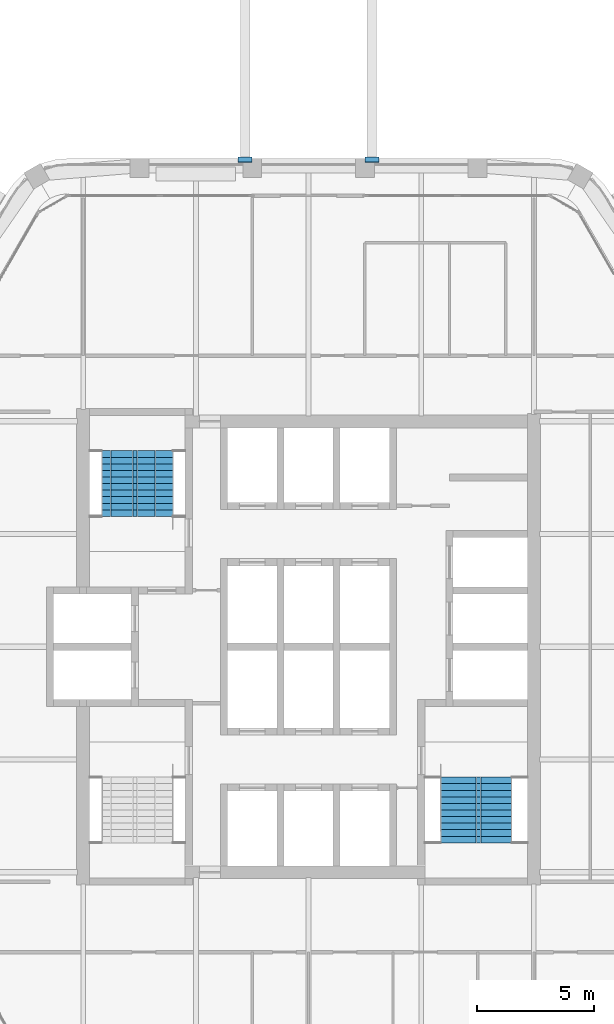
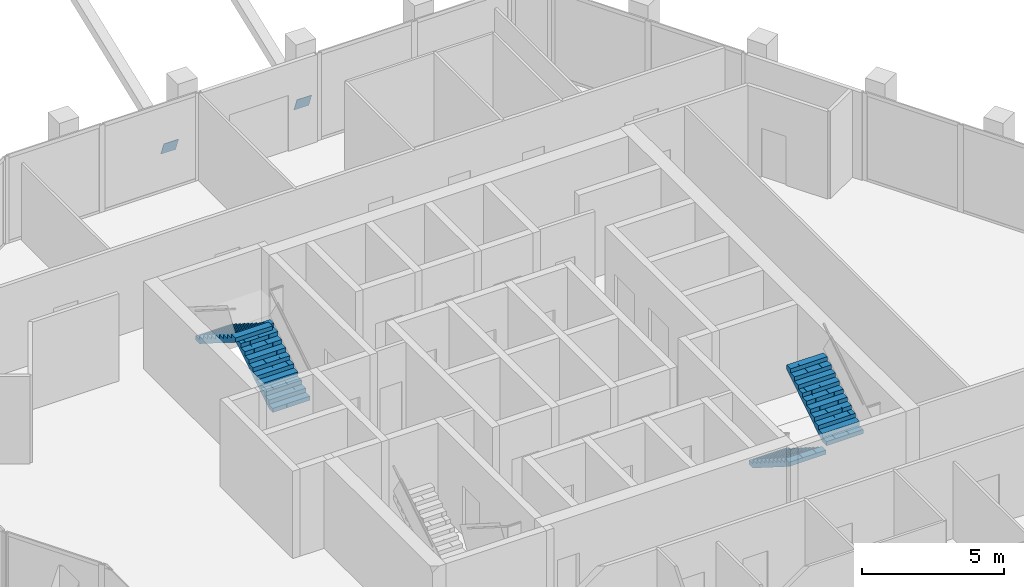
# One storey, part 11 of 14: 4 stair flights, 2 discrete accessories, 2 elements without a shape of their own.
"""IFC4 building model written with IfcOpenShell, lengths in metres."""

import ifcopenshell
import ifcopenshell.guid

model = None  # the IFC model being written
_history = None  # IfcOwnerHistory: only IFC2X3 demands one
_inside = {}  # id of a spatial element -> (the spatial element, [elements in it])
_under = {}  # id of a project, library or spatial element -> (it, [spatial elements below it])
_declared = {}  # id of a project -> (the project, [libraries it declares])
_typed = {}  # id of a type object -> (the type object, [elements of that type])
_made_of = {}  # id of a material, layer set ... -> (it, [elements and type objects made of it])


def new_model(schema):
    """Start an empty IFC model of exactly this schema.

    Asked for "IFC4X3", IfcOpenShell would pick the latest addendum, in which some entities
    have other attributes; the version numbers below select the first issue.
    IFC2X3 requires an IfcOwnerHistory on every rooted entity: one is made here for all.
    """
    global model, _history
    if schema == "IFC4X3":
        model = ifcopenshell.file(schema_version=(4, 3, 0, 0))
    else:
        model = ifcopenshell.file(schema=schema)
    _inside.clear()
    _under.clear()
    _declared.clear()
    _typed.clear()
    _made_of.clear()
    _history = None
    if model.schema == "IFC2X3":
        org = make("IfcOrganization", Name="unknown")
        user = make(
            "IfcPersonAndOrganization",
            ThePerson=make("IfcPerson", FamilyName="unknown"),
            TheOrganization=org,
        )
        app = make(
            "IfcApplication",
            ApplicationDeveloper=org,
            Version="unknown",
            ApplicationFullName="unknown",
            ApplicationIdentifier="unknown",
        )
        _history = make(
            "IfcOwnerHistory",
            OwningUser=user,
            OwningApplication=app,
            ChangeAction="ADDED",
            CreationDate=0,
        )
    return model


def make(cls, **values):
    """One entity of the class cls with the attributes given. An attribute that is None is left unset."""
    return model.create_entity(
        cls, **{name: value for name, value in values.items() if value is not None}
    )


def rooted(cls, **values):
    """An entity with a GlobalId (a new one), such as an element, a storey or a relation."""
    return make(cls, GlobalId=ifcopenshell.guid.new(), OwnerHistory=_history, **values)


def si_unit(unit_type, name, prefix=None):
    """IfcSIUnit, for example si_unit("LENGTHUNIT", "METRE", prefix="MILLI")."""
    return make("IfcSIUnit", UnitType=unit_type, Prefix=prefix, Name=name)


def assignment(units):
    """IfcUnitAssignment: the units of a project."""
    return None if units is None else make("IfcUnitAssignment", Units=units)


def point(xyz):
    """IfcCartesianPoint."""
    return None if xyz is None else make("IfcCartesianPoint", Coordinates=xyz)


def direction(xyz):
    """IfcDirection."""
    return None if xyz is None else make("IfcDirection", DirectionRatios=xyz)


def frame(location, z_axis=None, x_axis=None):
    """IfcAxis2Placement3D, a coordinate frame: its origin and axes. An axis left out is left unset."""
    return make(
        "IfcAxis2Placement3D",
        Location=point(location),
        Axis=direction(z_axis),
        RefDirection=direction(x_axis),
    )


def frame_2d(location, x_axis=None):
    """IfcAxis2Placement2D, a coordinate frame in the plane: its origin and x axis."""
    return make(
        "IfcAxis2Placement2D", Location=point(location), RefDirection=direction(x_axis)
    )


def origin():
    """The frame at (0, 0, 0) with its axes left unset."""
    return frame((0.0, 0.0, 0.0))


def origin_2d():
    """The frame at (0, 0) in the plane with its x axis left unset."""
    return frame_2d((0.0, 0.0))


def place(relative_to, where):
    """IfcLocalPlacement: puts the frame where relative to a parent placement (None: the world)."""
    return make(
        "IfcLocalPlacement", PlacementRelTo=relative_to, RelativePlacement=where
    )


def context(
    kind, dimensions, precision=None, world=None, true_north=None, identifier=None
):
    """IfcGeometricRepresentationContext, for example the 3D "Model" context."""
    return make(
        "IfcGeometricRepresentationContext",
        ContextIdentifier=identifier,
        ContextType=kind,
        CoordinateSpaceDimension=dimensions,
        Precision=precision,
        WorldCoordinateSystem=world,
        TrueNorth=true_north,
    )


def subcontext(parent, identifier, kind, view, scale=None):
    """IfcGeometricRepresentationSubContext, for example "Body" below "Model"."""
    return make(
        "IfcGeometricRepresentationSubContext",
        ContextIdentifier=identifier,
        ContextType=kind,
        ParentContext=parent,
        TargetScale=scale,
        TargetView=view,
    )


def project(units=None, contexts=None):
    """IfcProject with its units and contexts."""
    return rooted(
        "IfcProject",
        Name="project",
        RepresentationContexts=contexts,
        UnitsInContext=assignment(units),
    )


def spatial(cls, under=None, at=None, **own):
    """A site, building, storey or space (cls), placed at a placement, below another one or the project."""
    s = rooted(cls, ObjectPlacement=at, **own)
    if under is not None:
        _under.setdefault(under.id(), (under, []))[1].append(s)
    return s


def polyline(points):
    """IfcPolyline through the points."""
    return make("IfcPolyline", Points=[point(p) for p in points])


def profile(cls, at=None, kind="AREA", **sizes):
    """A parametric profile (cls). Its sizes go by their IFC names, for example OverallWidth=200.0."""
    return make(cls, ProfileType=kind, Position=at, **sizes)


def rectangle(**sizes):
    """IfcRectangleProfileDef."""
    return profile("IfcRectangleProfileDef", **sizes)


def outline(outer, holes=None, kind="AREA"):
    """IfcArbitraryClosedProfileDef: a profile drawn as a closed curve; with holes, ...WithVoids."""
    if holes is None:
        return make("IfcArbitraryClosedProfileDef", ProfileType=kind, OuterCurve=outer)
    return make(
        "IfcArbitraryProfileDefWithVoids",
        ProfileType=kind,
        OuterCurve=outer,
        InnerCurves=holes,
    )


def extrude(swept, where, along, depth):
    """IfcExtrudedAreaSolid: the profile swept, set in the frame where, extruded along a direction by depth."""
    return make(
        "IfcExtrudedAreaSolid",
        SweptArea=swept,
        Position=where,
        ExtrudedDirection=direction(along),
        Depth=depth,
    )


def shape(context_of_items, identifier, shape_type, items):
    """IfcShapeRepresentation: the items that make up one representation, for example the "Body"."""
    return make(
        "IfcShapeRepresentation",
        ContextOfItems=context_of_items,
        RepresentationIdentifier=identifier,
        RepresentationType=shape_type,
        Items=items,
    )


def material(Name=None, Category=None):
    """IfcMaterial."""
    return make("IfcMaterial", Name=Name, Category=Category)


def made_of(thing, what):
    """Note that an element or type object is made of a material, layer set ...; save() writes the relation."""
    if what is not None:
        _made_of.setdefault(what.id(), (what, []))[1].append(thing)
    return thing


def type_object(cls, material=None, **own):
    """A type object (cls), such as IfcWallType, which elements share."""
    return made_of(rooted(cls, **own), material)


def element(
    cls,
    number,
    at=None,
    inside=None,
    cuts=None,
    type_object=None,
    material=None,
    context=None,
    identifier="Body",
    shape_type=None,
    held_by="IfcProductDefinitionShape",
    body=None,
    shapes=None,
    **own,
):
    """One element of the class cls, such as IfcWall. Its Tag is "e" and its number.

    at: its placement. inside: the storey or other place that contains it. cuts: it is an
    opening in that element (IfcRelVoidsElement). A single representation is given by context,
    identifier, shape_type and body (its items); several are given by shapes. held_by: the class
    of the entity that holds the representations. save() writes the other relations.
    """
    e = rooted(cls, Tag="e%d" % number, ObjectPlacement=at, **own)
    if body is not None:
        shapes = [shape(context, identifier, shape_type, body)]
    if shapes is not None:
        e.Representation = make(held_by, Representations=shapes)
    if inside is not None:
        _inside.setdefault(inside.id(), (inside, []))[1].append(e)
    if cuts is not None:
        rooted(
            "IfcRelVoidsElement", RelatingBuildingElement=cuts, RelatedOpeningElement=e
        )
    if type_object is not None:
        _typed.setdefault(type_object.id(), (type_object, []))[1].append(e)
    return made_of(e, material)


def aggregate(whole, parts):
    """IfcRelAggregates: a whole, such as a stair, and the parts it consists of."""
    return rooted("IfcRelAggregates", RelatingObject=whole, RelatedObjects=parts)


def save(model, path):
    """Write the relations noted so far, then the file.

    IfcRelAggregates (storeys below a building ...), IfcRelContainedInSpatialStructure (elements
    in a storey), IfcRelDefinesByType, IfcRelAssociatesMaterial and IfcRelDeclares: one each for
    every whole, place, type object, material and project.
    """
    for whole, parts in _under.values():
        aggregate(whole, parts)
    for where, things in _inside.values():
        rooted(
            "IfcRelContainedInSpatialStructure",
            RelatedElements=things,
            RelatingStructure=where,
        )
    for kind, things in _typed.values():
        rooted("IfcRelDefinesByType", RelatedObjects=things, RelatingType=kind)
    for what, things in _made_of.values():
        rooted("IfcRelAssociatesMaterial", RelatedObjects=things, RelatingMaterial=what)
    for by, libraries in _declared.values():
        rooted("IfcRelDeclares", RelatingContext=by, RelatedDefinitions=libraries)
    model.write(path)


model = new_model("IFC4")

# Units and contexts
model_context = context("Model", 3, precision=1e-05, world=origin(), true_north=direction((0.0, 1.0)))
body_context = subcontext(model_context, "Body", "Model", "MODEL_VIEW")
ifc_project = project(units=[si_unit("LENGTHUNIT", "METRE"), si_unit("AREAUNIT", "SQUARE_METRE"), si_unit("VOLUMEUNIT", "CUBIC_METRE"), si_unit("PLANEANGLEUNIT", "RADIAN"), si_unit("MASSUNIT", "GRAM", prefix="KILO")], contexts=[model_context])

# Site, building, storey
site_placement = place(None, origin())
site = spatial("IfcSite", under=ifc_project, at=site_placement, CompositionType="ELEMENT")
building_placement = place(site_placement, origin())
building = spatial("IfcBuilding", under=site, at=building_placement, Name="Kolab Exchange Tower", CompositionType="ELEMENT")
storey_placement = place(building_placement, frame((0.0, 0.0, 261.800048828125)))
storey = spatial("IfcBuildingStorey", under=building, at=storey_placement, Name="L58", CompositionType="ELEMENT", Elevation=261.800048828125)

# Stair, stair flights
ifc_material = material(Name="Concrete C50/60", Category="concrete")
stair_type_1 = type_object("IfcStairType", Name="STAIR ST1 RISER 177.3", PredefinedType="HALF_TURN_STAIR", material=ifc_material)
stair_1_placement = place(storey_placement, origin())
stair_1 = element("IfcStair", 1, at=stair_1_placement, inside=storey, type_object=stair_type_1, Name="Stair 1", PredefinedType="HALF_TURN_STAIR")
stair_flight_type = type_object("IfcStairFlightType", Name="STAIR FLIGHT 1500 RISER 177.3", PredefinedType="STRAIGHT", material=ifc_material)
stair_flight_1_placement = place(storey_placement, frame((-6.527587890625, 5.550048828125, 0.0), z_axis=(0.0, 0.0, 1.0), x_axis=(0.0, 1.0, 0.0)))
stair_flight_1 = element("IfcStairFlight", 2, at=stair_flight_1_placement, type_object=stair_flight_type, Name="ST1 flight 1", NumberOfRisers=11, NumberOfTreads=10, PredefinedType="STRAIGHT", RiserHeight=0.177272727, TreadLength=0.28, context=body_context, shape_type="SweptSolid", body=[
    extrude(outline(polyline([(0.0, 0.0), (0.0, 0.17724609375), (0.280029296875, 0.17724609375), (0.280029296875, 0.3544921875), (0.56005859375, 0.3544921875), (0.56005859375, 0.53173828125), (0.840087890625, 0.53173828125), (0.840087890625, 0.708984375), (1.1201171875, 0.708984375), (1.1201171875, 0.886474609375), (1.39990234375, 0.886474609375), (1.39990234375, 1.063720703125), (1.679931640625, 1.063720703125), (1.679931640625, 1.240966796875), (1.9599609375, 1.240966796875), (1.9599609375, 1.418212890625), (2.239990234375, 1.418212890625), (2.239990234375, 1.595458984375), (2.52001953125, 1.595458984375), (2.52001953125, 1.772705078125), (2.800048828125, 1.772705078125), (2.800048828125, 1.949951171875), (2.800048828125, 1.59521484375), (0.2802734375, 0.0), (0.0, 0.0)])), frame((0.0, 0.75, 0.0), z_axis=(0.0, -1.0, 0.0), x_axis=(1.0, 0.0, 0.0)), (0.0, 0.0, 1.0), 0.185791015625),
    extrude(outline(polyline([(0.0, 0.0), (0.0, 0.17724609375), (0.280029296875, 0.17724609375), (0.280029296875, 0.3544921875), (0.56005859375, 0.3544921875), (0.56005859375, 0.53173828125), (0.840087890625, 0.53173828125), (0.840087890625, 0.708984375), (1.1201171875, 0.708984375), (1.1201171875, 0.886474609375), (1.39990234375, 0.886474609375), (1.39990234375, 1.063720703125), (1.679931640625, 1.063720703125), (1.679931640625, 1.240966796875), (1.9599609375, 1.240966796875), (1.9599609375, 1.418212890625), (2.239990234375, 1.418212890625), (2.239990234375, 1.595458984375), (2.52001953125, 1.595458984375), (2.52001953125, 1.772705078125), (2.800048828125, 1.772705078125), (2.800048828125, 1.949951171875), (2.800048828125, 1.59521484375), (0.2802734375, 0.0), (0.0, 0.0)])), frame((0.0, 0.562255859375, 0.0), z_axis=(0.0, -1.0, 0.0), x_axis=(1.0, 0.0, 0.0)), (0.0, 0.0, 1.0), 0.185791015625),
    extrude(outline(polyline([(0.0, 0.0), (0.0, 0.17724609375), (0.280029296875, 0.17724609375), (0.280029296875, 0.3544921875), (0.56005859375, 0.3544921875), (0.56005859375, 0.53173828125), (0.840087890625, 0.53173828125), (0.840087890625, 0.708984375), (1.1201171875, 0.708984375), (1.1201171875, 0.886474609375), (1.39990234375, 0.886474609375), (1.39990234375, 1.063720703125), (1.679931640625, 1.063720703125), (1.679931640625, 1.240966796875), (1.9599609375, 1.240966796875), (1.9599609375, 1.418212890625), (2.239990234375, 1.418212890625), (2.239990234375, 1.595458984375), (2.52001953125, 1.595458984375), (2.52001953125, 1.772705078125), (2.800048828125, 1.772705078125), (2.800048828125, 1.949951171875), (2.800048828125, 1.59521484375), (0.2802734375, 0.0), (0.0, 0.0)])), frame((0.0, 0.37451171875, 0.0), z_axis=(0.0, -1.0, 0.0), x_axis=(1.0, 0.0, 0.0)), (0.0, 0.0, 1.0), 0.185791015625),
    extrude(outline(polyline([(0.0, 0.0), (0.0, 0.17724609375), (0.280029296875, 0.17724609375), (0.280029296875, 0.3544921875), (0.56005859375, 0.3544921875), (0.56005859375, 0.53173828125), (0.840087890625, 0.53173828125), (0.840087890625, 0.708984375), (1.1201171875, 0.708984375), (1.1201171875, 0.886474609375), (1.39990234375, 0.886474609375), (1.39990234375, 1.063720703125), (1.679931640625, 1.063720703125), (1.679931640625, 1.240966796875), (1.9599609375, 1.240966796875), (1.9599609375, 1.418212890625), (2.239990234375, 1.418212890625), (2.239990234375, 1.595458984375), (2.52001953125, 1.595458984375), (2.52001953125, 1.772705078125), (2.800048828125, 1.772705078125), (2.800048828125, 1.949951171875), (2.800048828125, 1.59521484375), (0.2802734375, 0.0), (0.0, 0.0)])), frame((0.0, 0.186767578125, 0.0), z_axis=(0.0, -1.0, 0.0), x_axis=(1.0, 0.0, 0.0)), (0.0, 0.0, 1.0), 0.185791015625),
    extrude(outline(polyline([(0.0, 0.0), (0.0, 0.17724609375), (0.280029296875, 0.17724609375), (0.280029296875, 0.3544921875), (0.56005859375, 0.3544921875), (0.56005859375, 0.53173828125), (0.840087890625, 0.53173828125), (0.840087890625, 0.708984375), (1.1201171875, 0.708984375), (1.1201171875, 0.886474609375), (1.39990234375, 0.886474609375), (1.39990234375, 1.063720703125), (1.679931640625, 1.063720703125), (1.679931640625, 1.240966796875), (1.9599609375, 1.240966796875), (1.9599609375, 1.418212890625), (2.239990234375, 1.418212890625), (2.239990234375, 1.595458984375), (2.52001953125, 1.595458984375), (2.52001953125, 1.772705078125), (2.800048828125, 1.772705078125), (2.800048828125, 1.949951171875), (2.800048828125, 1.59521484375), (0.2802734375, 0.0), (0.0, 0.0)])), frame((0.0, -0.0009765625, 0.0), z_axis=(0.0, -1.0, 0.0), x_axis=(1.0, 0.0, 0.0)), (0.0, 0.0, 1.0), 0.185791015625),
    extrude(outline(polyline([(0.0, 0.0), (0.0, 0.17724609375), (0.280029296875, 0.17724609375), (0.280029296875, 0.3544921875), (0.56005859375, 0.3544921875), (0.56005859375, 0.53173828125), (0.840087890625, 0.53173828125), (0.840087890625, 0.708984375), (1.1201171875, 0.708984375), (1.1201171875, 0.886474609375), (1.39990234375, 0.886474609375), (1.39990234375, 1.063720703125), (1.679931640625, 1.063720703125), (1.679931640625, 1.240966796875), (1.9599609375, 1.240966796875), (1.9599609375, 1.418212890625), (2.239990234375, 1.418212890625), (2.239990234375, 1.595458984375), (2.52001953125, 1.595458984375), (2.52001953125, 1.772705078125), (2.800048828125, 1.772705078125), (2.800048828125, 1.949951171875), (2.800048828125, 1.59521484375), (0.2802734375, 0.0), (0.0, 0.0)])), frame((0.0, -0.188720703125, 0.0), z_axis=(0.0, -1.0, 0.0), x_axis=(1.0, 0.0, 0.0)), (0.0, 0.0, 1.0), 0.185791015625),
    extrude(outline(polyline([(0.0, 0.0), (0.0, 0.17724609375), (0.280029296875, 0.17724609375), (0.280029296875, 0.3544921875), (0.56005859375, 0.3544921875), (0.56005859375, 0.53173828125), (0.840087890625, 0.53173828125), (0.840087890625, 0.708984375), (1.1201171875, 0.708984375), (1.1201171875, 0.886474609375), (1.39990234375, 0.886474609375), (1.39990234375, 1.063720703125), (1.679931640625, 1.063720703125), (1.679931640625, 1.240966796875), (1.9599609375, 1.240966796875), (1.9599609375, 1.418212890625), (2.239990234375, 1.418212890625), (2.239990234375, 1.595458984375), (2.52001953125, 1.595458984375), (2.52001953125, 1.772705078125), (2.800048828125, 1.772705078125), (2.800048828125, 1.949951171875), (2.800048828125, 1.59521484375), (0.2802734375, 0.0), (0.0, 0.0)])), frame((0.0, -0.37646484375, 0.0), z_axis=(0.0, -1.0, 0.0), x_axis=(1.0, 0.0, 0.0)), (0.0, 0.0, 1.0), 0.185791015625),
    extrude(outline(polyline([(0.0, 0.0), (0.0, 0.17724609375), (0.280029296875, 0.17724609375), (0.280029296875, 0.3544921875), (0.56005859375, 0.3544921875), (0.56005859375, 0.53173828125), (0.840087890625, 0.53173828125), (0.840087890625, 0.708984375), (1.1201171875, 0.708984375), (1.1201171875, 0.886474609375), (1.39990234375, 0.886474609375), (1.39990234375, 1.063720703125), (1.679931640625, 1.063720703125), (1.679931640625, 1.240966796875), (1.9599609375, 1.240966796875), (1.9599609375, 1.418212890625), (2.239990234375, 1.418212890625), (2.239990234375, 1.595458984375), (2.52001953125, 1.595458984375), (2.52001953125, 1.772705078125), (2.800048828125, 1.772705078125), (2.800048828125, 1.949951171875), (2.800048828125, 1.59521484375), (0.2802734375, 0.0), (0.0, 0.0)])), frame((0.0, -0.564208984375, 0.0), z_axis=(0.0, -1.0, 0.0), x_axis=(1.0, 0.0, 0.0)), (0.0, 0.0, 1.0), 0.185791015625),
])
stair_flight_2_placement = place(storey_placement, frame((-8.047607421875, 8.35009765625, 1.949951171875), z_axis=(0.0, 0.0, 1.0), x_axis=(0.0, -1.0, 0.0)))
stair_flight_2 = element("IfcStairFlight", 3, at=stair_flight_2_placement, type_object=stair_flight_type, Name="ST1 flight 2", NumberOfRisers=11, NumberOfTreads=10, PredefinedType="STRAIGHT", RiserHeight=0.177272727, TreadLength=0.28, context=body_context, shape_type="SweptSolid", body=[
    extrude(outline(polyline([(0.0, 0.0), (0.0, 0.17724609375), (0.280029296875, 0.17724609375), (0.280029296875, 0.3544921875), (0.56005859375, 0.3544921875), (0.56005859375, 0.53173828125), (0.840087890625, 0.53173828125), (0.840087890625, 0.708984375), (1.1201171875, 0.708984375), (1.1201171875, 0.886474609375), (1.39990234375, 0.886474609375), (1.39990234375, 1.063720703125), (1.679931640625, 1.063720703125), (1.679931640625, 1.240966796875), (1.9599609375, 1.240966796875), (1.9599609375, 1.418212890625), (2.239990234375, 1.418212890625), (2.239990234375, 1.595458984375), (2.52001953125, 1.595458984375), (2.52001953125, 1.772705078125), (2.800048828125, 1.772705078125), (2.800048828125, 1.949951171875), (2.800048828125, 1.59521484375), (0.2802734375, 0.0), (0.0, 0.0)])), frame((0.0, 0.75, 0.0), z_axis=(0.0, -1.0, 0.0), x_axis=(1.0, 0.0, 0.0)), (0.0, 0.0, 1.0), 0.185791015625),
    extrude(outline(polyline([(0.0, 0.0), (0.0, 0.17724609375), (0.280029296875, 0.17724609375), (0.280029296875, 0.3544921875), (0.56005859375, 0.3544921875), (0.56005859375, 0.53173828125), (0.840087890625, 0.53173828125), (0.840087890625, 0.708984375), (1.1201171875, 0.708984375), (1.1201171875, 0.886474609375), (1.39990234375, 0.886474609375), (1.39990234375, 1.063720703125), (1.679931640625, 1.063720703125), (1.679931640625, 1.240966796875), (1.9599609375, 1.240966796875), (1.9599609375, 1.418212890625), (2.239990234375, 1.418212890625), (2.239990234375, 1.595458984375), (2.52001953125, 1.595458984375), (2.52001953125, 1.772705078125), (2.800048828125, 1.772705078125), (2.800048828125, 1.949951171875), (2.800048828125, 1.59521484375), (0.2802734375, 0.0), (0.0, 0.0)])), frame((0.0, 0.562255859375, 0.0), z_axis=(0.0, -1.0, 0.0), x_axis=(1.0, 0.0, 0.0)), (0.0, 0.0, 1.0), 0.185791015625),
    extrude(outline(polyline([(0.0, 0.0), (0.0, 0.17724609375), (0.280029296875, 0.17724609375), (0.280029296875, 0.3544921875), (0.56005859375, 0.3544921875), (0.56005859375, 0.53173828125), (0.840087890625, 0.53173828125), (0.840087890625, 0.708984375), (1.1201171875, 0.708984375), (1.1201171875, 0.886474609375), (1.39990234375, 0.886474609375), (1.39990234375, 1.063720703125), (1.679931640625, 1.063720703125), (1.679931640625, 1.240966796875), (1.9599609375, 1.240966796875), (1.9599609375, 1.418212890625), (2.239990234375, 1.418212890625), (2.239990234375, 1.595458984375), (2.52001953125, 1.595458984375), (2.52001953125, 1.772705078125), (2.800048828125, 1.772705078125), (2.800048828125, 1.949951171875), (2.800048828125, 1.59521484375), (0.2802734375, 0.0), (0.0, 0.0)])), frame((0.0, 0.37451171875, 0.0), z_axis=(0.0, -1.0, 0.0), x_axis=(1.0, 0.0, 0.0)), (0.0, 0.0, 1.0), 0.185791015625),
    extrude(outline(polyline([(0.0, 0.0), (0.0, 0.17724609375), (0.280029296875, 0.17724609375), (0.280029296875, 0.3544921875), (0.56005859375, 0.3544921875), (0.56005859375, 0.53173828125), (0.840087890625, 0.53173828125), (0.840087890625, 0.708984375), (1.1201171875, 0.708984375), (1.1201171875, 0.886474609375), (1.39990234375, 0.886474609375), (1.39990234375, 1.063720703125), (1.679931640625, 1.063720703125), (1.679931640625, 1.240966796875), (1.9599609375, 1.240966796875), (1.9599609375, 1.418212890625), (2.239990234375, 1.418212890625), (2.239990234375, 1.595458984375), (2.52001953125, 1.595458984375), (2.52001953125, 1.772705078125), (2.800048828125, 1.772705078125), (2.800048828125, 1.949951171875), (2.800048828125, 1.59521484375), (0.2802734375, 0.0), (0.0, 0.0)])), frame((0.0, 0.186767578125, 0.0), z_axis=(0.0, -1.0, 0.0), x_axis=(1.0, 0.0, 0.0)), (0.0, 0.0, 1.0), 0.185791015625),
    extrude(outline(polyline([(0.0, 0.0), (0.0, 0.17724609375), (0.280029296875, 0.17724609375), (0.280029296875, 0.3544921875), (0.56005859375, 0.3544921875), (0.56005859375, 0.53173828125), (0.840087890625, 0.53173828125), (0.840087890625, 0.708984375), (1.1201171875, 0.708984375), (1.1201171875, 0.886474609375), (1.39990234375, 0.886474609375), (1.39990234375, 1.063720703125), (1.679931640625, 1.063720703125), (1.679931640625, 1.240966796875), (1.9599609375, 1.240966796875), (1.9599609375, 1.418212890625), (2.239990234375, 1.418212890625), (2.239990234375, 1.595458984375), (2.52001953125, 1.595458984375), (2.52001953125, 1.772705078125), (2.800048828125, 1.772705078125), (2.800048828125, 1.949951171875), (2.800048828125, 1.59521484375), (0.2802734375, 0.0), (0.0, 0.0)])), frame((0.0, -0.0009765625, 0.0), z_axis=(0.0, -1.0, 0.0), x_axis=(1.0, 0.0, 0.0)), (0.0, 0.0, 1.0), 0.185791015625),
    extrude(outline(polyline([(0.0, 0.0), (0.0, 0.17724609375), (0.280029296875, 0.17724609375), (0.280029296875, 0.3544921875), (0.56005859375, 0.3544921875), (0.56005859375, 0.53173828125), (0.840087890625, 0.53173828125), (0.840087890625, 0.708984375), (1.1201171875, 0.708984375), (1.1201171875, 0.886474609375), (1.39990234375, 0.886474609375), (1.39990234375, 1.063720703125), (1.679931640625, 1.063720703125), (1.679931640625, 1.240966796875), (1.9599609375, 1.240966796875), (1.9599609375, 1.418212890625), (2.239990234375, 1.418212890625), (2.239990234375, 1.595458984375), (2.52001953125, 1.595458984375), (2.52001953125, 1.772705078125), (2.800048828125, 1.772705078125), (2.800048828125, 1.949951171875), (2.800048828125, 1.59521484375), (0.2802734375, 0.0), (0.0, 0.0)])), frame((0.0, -0.188720703125, 0.0), z_axis=(0.0, -1.0, 0.0), x_axis=(1.0, 0.0, 0.0)), (0.0, 0.0, 1.0), 0.185791015625),
    extrude(outline(polyline([(0.0, 0.0), (0.0, 0.17724609375), (0.280029296875, 0.17724609375), (0.280029296875, 0.3544921875), (0.56005859375, 0.3544921875), (0.56005859375, 0.53173828125), (0.840087890625, 0.53173828125), (0.840087890625, 0.708984375), (1.1201171875, 0.708984375), (1.1201171875, 0.886474609375), (1.39990234375, 0.886474609375), (1.39990234375, 1.063720703125), (1.679931640625, 1.063720703125), (1.679931640625, 1.240966796875), (1.9599609375, 1.240966796875), (1.9599609375, 1.418212890625), (2.239990234375, 1.418212890625), (2.239990234375, 1.595458984375), (2.52001953125, 1.595458984375), (2.52001953125, 1.772705078125), (2.800048828125, 1.772705078125), (2.800048828125, 1.949951171875), (2.800048828125, 1.59521484375), (0.2802734375, 0.0), (0.0, 0.0)])), frame((0.0, -0.37646484375, 0.0), z_axis=(0.0, -1.0, 0.0), x_axis=(1.0, 0.0, 0.0)), (0.0, 0.0, 1.0), 0.185791015625),
    extrude(outline(polyline([(0.0, 0.0), (0.0, 0.17724609375), (0.280029296875, 0.17724609375), (0.280029296875, 0.3544921875), (0.56005859375, 0.3544921875), (0.56005859375, 0.53173828125), (0.840087890625, 0.53173828125), (0.840087890625, 0.708984375), (1.1201171875, 0.708984375), (1.1201171875, 0.886474609375), (1.39990234375, 0.886474609375), (1.39990234375, 1.063720703125), (1.679931640625, 1.063720703125), (1.679931640625, 1.240966796875), (1.9599609375, 1.240966796875), (1.9599609375, 1.418212890625), (2.239990234375, 1.418212890625), (2.239990234375, 1.595458984375), (2.52001953125, 1.595458984375), (2.52001953125, 1.772705078125), (2.800048828125, 1.772705078125), (2.800048828125, 1.949951171875), (2.800048828125, 1.59521484375), (0.2802734375, 0.0), (0.0, 0.0)])), frame((0.0, -0.564208984375, 0.0), z_axis=(0.0, -1.0, 0.0), x_axis=(1.0, 0.0, 0.0)), (0.0, 0.0, 1.0), 0.185791015625),
])
aggregate(stair_1, [stair_flight_1, stair_flight_2])

stair_type_2 = type_object("IfcStairType", Name="STAIR ST2 RISER 177.3", PredefinedType="HALF_TURN_STAIR", material=ifc_material)
stair_2_placement = place(storey_placement, origin())
stair_2 = element("IfcStair", 4, at=stair_2_placement, inside=storey, type_object=stair_type_2, Name="Stair 2", PredefinedType="HALF_TURN_STAIR")
stair_flight_3_placement = place(storey_placement, frame((6.37744140625, -5.550048828125, 0.0), z_axis=(0.0, 0.0, 1.0), x_axis=(0.0, -1.0, 0.0)))
stair_flight_3 = element("IfcStairFlight", 5, at=stair_flight_3_placement, type_object=stair_flight_type, Name="ST2 flight 1", NumberOfRisers=11, NumberOfTreads=10, PredefinedType="STRAIGHT", RiserHeight=0.177272727, TreadLength=0.28, context=body_context, shape_type="SweptSolid", body=[
    extrude(outline(polyline([(0.0, 0.0), (0.0, 0.17724609375), (0.280029296875, 0.17724609375), (0.280029296875, 0.3544921875), (0.56005859375, 0.3544921875), (0.56005859375, 0.53173828125), (0.840087890625, 0.53173828125), (0.840087890625, 0.708984375), (1.1201171875, 0.708984375), (1.1201171875, 0.886474609375), (1.39990234375, 0.886474609375), (1.39990234375, 1.063720703125), (1.679931640625, 1.063720703125), (1.679931640625, 1.240966796875), (1.9599609375, 1.240966796875), (1.9599609375, 1.418212890625), (2.239990234375, 1.418212890625), (2.239990234375, 1.595458984375), (2.52001953125, 1.595458984375), (2.52001953125, 1.772705078125), (2.800048828125, 1.772705078125), (2.800048828125, 1.949951171875), (2.800048828125, 1.59521484375), (0.2802734375, 0.0), (0.0, 0.0)])), frame((0.0, 0.75, 0.0), z_axis=(0.0, -1.0, 0.0), x_axis=(1.0, 0.0, 0.0)), (0.0, 0.0, 1.0), 0.185791015625),
    extrude(outline(polyline([(0.0, 0.0), (0.0, 0.17724609375), (0.280029296875, 0.17724609375), (0.280029296875, 0.3544921875), (0.56005859375, 0.3544921875), (0.56005859375, 0.53173828125), (0.840087890625, 0.53173828125), (0.840087890625, 0.708984375), (1.1201171875, 0.708984375), (1.1201171875, 0.886474609375), (1.39990234375, 0.886474609375), (1.39990234375, 1.063720703125), (1.679931640625, 1.063720703125), (1.679931640625, 1.240966796875), (1.9599609375, 1.240966796875), (1.9599609375, 1.418212890625), (2.239990234375, 1.418212890625), (2.239990234375, 1.595458984375), (2.52001953125, 1.595458984375), (2.52001953125, 1.772705078125), (2.800048828125, 1.772705078125), (2.800048828125, 1.949951171875), (2.800048828125, 1.59521484375), (0.2802734375, 0.0), (0.0, 0.0)])), frame((0.0, 0.562255859375, 0.0), z_axis=(0.0, -1.0, 0.0), x_axis=(1.0, 0.0, 0.0)), (0.0, 0.0, 1.0), 0.185791015625),
    extrude(outline(polyline([(0.0, 0.0), (0.0, 0.17724609375), (0.280029296875, 0.17724609375), (0.280029296875, 0.3544921875), (0.56005859375, 0.3544921875), (0.56005859375, 0.53173828125), (0.840087890625, 0.53173828125), (0.840087890625, 0.708984375), (1.1201171875, 0.708984375), (1.1201171875, 0.886474609375), (1.39990234375, 0.886474609375), (1.39990234375, 1.063720703125), (1.679931640625, 1.063720703125), (1.679931640625, 1.240966796875), (1.9599609375, 1.240966796875), (1.9599609375, 1.418212890625), (2.239990234375, 1.418212890625), (2.239990234375, 1.595458984375), (2.52001953125, 1.595458984375), (2.52001953125, 1.772705078125), (2.800048828125, 1.772705078125), (2.800048828125, 1.949951171875), (2.800048828125, 1.59521484375), (0.2802734375, 0.0), (0.0, 0.0)])), frame((0.0, 0.37451171875, 0.0), z_axis=(0.0, -1.0, 0.0), x_axis=(1.0, 0.0, 0.0)), (0.0, 0.0, 1.0), 0.185791015625),
    extrude(outline(polyline([(0.0, 0.0), (0.0, 0.17724609375), (0.280029296875, 0.17724609375), (0.280029296875, 0.3544921875), (0.56005859375, 0.3544921875), (0.56005859375, 0.53173828125), (0.840087890625, 0.53173828125), (0.840087890625, 0.708984375), (1.1201171875, 0.708984375), (1.1201171875, 0.886474609375), (1.39990234375, 0.886474609375), (1.39990234375, 1.063720703125), (1.679931640625, 1.063720703125), (1.679931640625, 1.240966796875), (1.9599609375, 1.240966796875), (1.9599609375, 1.418212890625), (2.239990234375, 1.418212890625), (2.239990234375, 1.595458984375), (2.52001953125, 1.595458984375), (2.52001953125, 1.772705078125), (2.800048828125, 1.772705078125), (2.800048828125, 1.949951171875), (2.800048828125, 1.59521484375), (0.2802734375, 0.0), (0.0, 0.0)])), frame((0.0, 0.186767578125, 0.0), z_axis=(0.0, -1.0, 0.0), x_axis=(1.0, 0.0, 0.0)), (0.0, 0.0, 1.0), 0.185791015625),
    extrude(outline(polyline([(0.0, 0.0), (0.0, 0.17724609375), (0.280029296875, 0.17724609375), (0.280029296875, 0.3544921875), (0.56005859375, 0.3544921875), (0.56005859375, 0.53173828125), (0.840087890625, 0.53173828125), (0.840087890625, 0.708984375), (1.1201171875, 0.708984375), (1.1201171875, 0.886474609375), (1.39990234375, 0.886474609375), (1.39990234375, 1.063720703125), (1.679931640625, 1.063720703125), (1.679931640625, 1.240966796875), (1.9599609375, 1.240966796875), (1.9599609375, 1.418212890625), (2.239990234375, 1.418212890625), (2.239990234375, 1.595458984375), (2.52001953125, 1.595458984375), (2.52001953125, 1.772705078125), (2.800048828125, 1.772705078125), (2.800048828125, 1.949951171875), (2.800048828125, 1.59521484375), (0.2802734375, 0.0), (0.0, 0.0)])), frame((0.0, -0.0009765625, 0.0), z_axis=(0.0, -1.0, 0.0), x_axis=(1.0, 0.0, 0.0)), (0.0, 0.0, 1.0), 0.185791015625),
    extrude(outline(polyline([(0.0, 0.0), (0.0, 0.17724609375), (0.280029296875, 0.17724609375), (0.280029296875, 0.3544921875), (0.56005859375, 0.3544921875), (0.56005859375, 0.53173828125), (0.840087890625, 0.53173828125), (0.840087890625, 0.708984375), (1.1201171875, 0.708984375), (1.1201171875, 0.886474609375), (1.39990234375, 0.886474609375), (1.39990234375, 1.063720703125), (1.679931640625, 1.063720703125), (1.679931640625, 1.240966796875), (1.9599609375, 1.240966796875), (1.9599609375, 1.418212890625), (2.239990234375, 1.418212890625), (2.239990234375, 1.595458984375), (2.52001953125, 1.595458984375), (2.52001953125, 1.772705078125), (2.800048828125, 1.772705078125), (2.800048828125, 1.949951171875), (2.800048828125, 1.59521484375), (0.2802734375, 0.0), (0.0, 0.0)])), frame((0.0, -0.188720703125, 0.0), z_axis=(0.0, -1.0, 0.0), x_axis=(1.0, 0.0, 0.0)), (0.0, 0.0, 1.0), 0.185791015625),
    extrude(outline(polyline([(0.0, 0.0), (0.0, 0.17724609375), (0.280029296875, 0.17724609375), (0.280029296875, 0.3544921875), (0.56005859375, 0.3544921875), (0.56005859375, 0.53173828125), (0.840087890625, 0.53173828125), (0.840087890625, 0.708984375), (1.1201171875, 0.708984375), (1.1201171875, 0.886474609375), (1.39990234375, 0.886474609375), (1.39990234375, 1.063720703125), (1.679931640625, 1.063720703125), (1.679931640625, 1.240966796875), (1.9599609375, 1.240966796875), (1.9599609375, 1.418212890625), (2.239990234375, 1.418212890625), (2.239990234375, 1.595458984375), (2.52001953125, 1.595458984375), (2.52001953125, 1.772705078125), (2.800048828125, 1.772705078125), (2.800048828125, 1.949951171875), (2.800048828125, 1.59521484375), (0.2802734375, 0.0), (0.0, 0.0)])), frame((0.0, -0.37646484375, 0.0), z_axis=(0.0, -1.0, 0.0), x_axis=(1.0, 0.0, 0.0)), (0.0, 0.0, 1.0), 0.185791015625),
    extrude(outline(polyline([(0.0, 0.0), (0.0, 0.17724609375), (0.280029296875, 0.17724609375), (0.280029296875, 0.3544921875), (0.56005859375, 0.3544921875), (0.56005859375, 0.53173828125), (0.840087890625, 0.53173828125), (0.840087890625, 0.708984375), (1.1201171875, 0.708984375), (1.1201171875, 0.886474609375), (1.39990234375, 0.886474609375), (1.39990234375, 1.063720703125), (1.679931640625, 1.063720703125), (1.679931640625, 1.240966796875), (1.9599609375, 1.240966796875), (1.9599609375, 1.418212890625), (2.239990234375, 1.418212890625), (2.239990234375, 1.595458984375), (2.52001953125, 1.595458984375), (2.52001953125, 1.772705078125), (2.800048828125, 1.772705078125), (2.800048828125, 1.949951171875), (2.800048828125, 1.59521484375), (0.2802734375, 0.0), (0.0, 0.0)])), frame((0.0, -0.564208984375, 0.0), z_axis=(0.0, -1.0, 0.0), x_axis=(1.0, 0.0, 0.0)), (0.0, 0.0, 1.0), 0.185791015625),
])
stair_flight_4_placement = place(storey_placement, frame((7.8974609375, -8.35009765625, 1.949951171875), z_axis=(0.0, 0.0, 1.0), x_axis=(0.0, 1.0, 0.0)))
stair_flight_4 = element("IfcStairFlight", 6, at=stair_flight_4_placement, type_object=stair_flight_type, Name="ST2 flight 2", NumberOfRisers=11, NumberOfTreads=10, PredefinedType="STRAIGHT", RiserHeight=0.177272727, TreadLength=0.28, context=body_context, shape_type="SweptSolid", body=[
    extrude(outline(polyline([(0.0, 0.0), (0.0, 0.17724609375), (0.280029296875, 0.17724609375), (0.280029296875, 0.3544921875), (0.56005859375, 0.3544921875), (0.56005859375, 0.53173828125), (0.840087890625, 0.53173828125), (0.840087890625, 0.708984375), (1.1201171875, 0.708984375), (1.1201171875, 0.886474609375), (1.39990234375, 0.886474609375), (1.39990234375, 1.063720703125), (1.679931640625, 1.063720703125), (1.679931640625, 1.240966796875), (1.9599609375, 1.240966796875), (1.9599609375, 1.418212890625), (2.239990234375, 1.418212890625), (2.239990234375, 1.595458984375), (2.52001953125, 1.595458984375), (2.52001953125, 1.772705078125), (2.800048828125, 1.772705078125), (2.800048828125, 1.949951171875), (2.800048828125, 1.59521484375), (0.2802734375, 0.0), (0.0, 0.0)])), frame((0.0, 0.75, 0.0), z_axis=(0.0, -1.0, 0.0), x_axis=(1.0, 0.0, 0.0)), (0.0, 0.0, 1.0), 0.185791015625),
    extrude(outline(polyline([(0.0, 0.0), (0.0, 0.17724609375), (0.280029296875, 0.17724609375), (0.280029296875, 0.3544921875), (0.56005859375, 0.3544921875), (0.56005859375, 0.53173828125), (0.840087890625, 0.53173828125), (0.840087890625, 0.708984375), (1.1201171875, 0.708984375), (1.1201171875, 0.886474609375), (1.39990234375, 0.886474609375), (1.39990234375, 1.063720703125), (1.679931640625, 1.063720703125), (1.679931640625, 1.240966796875), (1.9599609375, 1.240966796875), (1.9599609375, 1.418212890625), (2.239990234375, 1.418212890625), (2.239990234375, 1.595458984375), (2.52001953125, 1.595458984375), (2.52001953125, 1.772705078125), (2.800048828125, 1.772705078125), (2.800048828125, 1.949951171875), (2.800048828125, 1.59521484375), (0.2802734375, 0.0), (0.0, 0.0)])), frame((0.0, 0.562255859375, 0.0), z_axis=(0.0, -1.0, 0.0), x_axis=(1.0, 0.0, 0.0)), (0.0, 0.0, 1.0), 0.185791015625),
    extrude(outline(polyline([(0.0, 0.0), (0.0, 0.17724609375), (0.280029296875, 0.17724609375), (0.280029296875, 0.3544921875), (0.56005859375, 0.3544921875), (0.56005859375, 0.53173828125), (0.840087890625, 0.53173828125), (0.840087890625, 0.708984375), (1.1201171875, 0.708984375), (1.1201171875, 0.886474609375), (1.39990234375, 0.886474609375), (1.39990234375, 1.063720703125), (1.679931640625, 1.063720703125), (1.679931640625, 1.240966796875), (1.9599609375, 1.240966796875), (1.9599609375, 1.418212890625), (2.239990234375, 1.418212890625), (2.239990234375, 1.595458984375), (2.52001953125, 1.595458984375), (2.52001953125, 1.772705078125), (2.800048828125, 1.772705078125), (2.800048828125, 1.949951171875), (2.800048828125, 1.59521484375), (0.2802734375, 0.0), (0.0, 0.0)])), frame((0.0, 0.37451171875, 0.0), z_axis=(0.0, -1.0, 0.0), x_axis=(1.0, 0.0, 0.0)), (0.0, 0.0, 1.0), 0.185791015625),
    extrude(outline(polyline([(0.0, 0.0), (0.0, 0.17724609375), (0.280029296875, 0.17724609375), (0.280029296875, 0.3544921875), (0.56005859375, 0.3544921875), (0.56005859375, 0.53173828125), (0.840087890625, 0.53173828125), (0.840087890625, 0.708984375), (1.1201171875, 0.708984375), (1.1201171875, 0.886474609375), (1.39990234375, 0.886474609375), (1.39990234375, 1.063720703125), (1.679931640625, 1.063720703125), (1.679931640625, 1.240966796875), (1.9599609375, 1.240966796875), (1.9599609375, 1.418212890625), (2.239990234375, 1.418212890625), (2.239990234375, 1.595458984375), (2.52001953125, 1.595458984375), (2.52001953125, 1.772705078125), (2.800048828125, 1.772705078125), (2.800048828125, 1.949951171875), (2.800048828125, 1.59521484375), (0.2802734375, 0.0), (0.0, 0.0)])), frame((0.0, 0.186767578125, 0.0), z_axis=(0.0, -1.0, 0.0), x_axis=(1.0, 0.0, 0.0)), (0.0, 0.0, 1.0), 0.185791015625),
    extrude(outline(polyline([(0.0, 0.0), (0.0, 0.17724609375), (0.280029296875, 0.17724609375), (0.280029296875, 0.3544921875), (0.56005859375, 0.3544921875), (0.56005859375, 0.53173828125), (0.840087890625, 0.53173828125), (0.840087890625, 0.708984375), (1.1201171875, 0.708984375), (1.1201171875, 0.886474609375), (1.39990234375, 0.886474609375), (1.39990234375, 1.063720703125), (1.679931640625, 1.063720703125), (1.679931640625, 1.240966796875), (1.9599609375, 1.240966796875), (1.9599609375, 1.418212890625), (2.239990234375, 1.418212890625), (2.239990234375, 1.595458984375), (2.52001953125, 1.595458984375), (2.52001953125, 1.772705078125), (2.800048828125, 1.772705078125), (2.800048828125, 1.949951171875), (2.800048828125, 1.59521484375), (0.2802734375, 0.0), (0.0, 0.0)])), frame((0.0, -0.0009765625, 0.0), z_axis=(0.0, -1.0, 0.0), x_axis=(1.0, 0.0, 0.0)), (0.0, 0.0, 1.0), 0.185791015625),
    extrude(outline(polyline([(0.0, 0.0), (0.0, 0.17724609375), (0.280029296875, 0.17724609375), (0.280029296875, 0.3544921875), (0.56005859375, 0.3544921875), (0.56005859375, 0.53173828125), (0.840087890625, 0.53173828125), (0.840087890625, 0.708984375), (1.1201171875, 0.708984375), (1.1201171875, 0.886474609375), (1.39990234375, 0.886474609375), (1.39990234375, 1.063720703125), (1.679931640625, 1.063720703125), (1.679931640625, 1.240966796875), (1.9599609375, 1.240966796875), (1.9599609375, 1.418212890625), (2.239990234375, 1.418212890625), (2.239990234375, 1.595458984375), (2.52001953125, 1.595458984375), (2.52001953125, 1.772705078125), (2.800048828125, 1.772705078125), (2.800048828125, 1.949951171875), (2.800048828125, 1.59521484375), (0.2802734375, 0.0), (0.0, 0.0)])), frame((0.0, -0.188720703125, 0.0), z_axis=(0.0, -1.0, 0.0), x_axis=(1.0, 0.0, 0.0)), (0.0, 0.0, 1.0), 0.185791015625),
    extrude(outline(polyline([(0.0, 0.0), (0.0, 0.17724609375), (0.280029296875, 0.17724609375), (0.280029296875, 0.3544921875), (0.56005859375, 0.3544921875), (0.56005859375, 0.53173828125), (0.840087890625, 0.53173828125), (0.840087890625, 0.708984375), (1.1201171875, 0.708984375), (1.1201171875, 0.886474609375), (1.39990234375, 0.886474609375), (1.39990234375, 1.063720703125), (1.679931640625, 1.063720703125), (1.679931640625, 1.240966796875), (1.9599609375, 1.240966796875), (1.9599609375, 1.418212890625), (2.239990234375, 1.418212890625), (2.239990234375, 1.595458984375), (2.52001953125, 1.595458984375), (2.52001953125, 1.772705078125), (2.800048828125, 1.772705078125), (2.800048828125, 1.949951171875), (2.800048828125, 1.59521484375), (0.2802734375, 0.0), (0.0, 0.0)])), frame((0.0, -0.37646484375, 0.0), z_axis=(0.0, -1.0, 0.0), x_axis=(1.0, 0.0, 0.0)), (0.0, 0.0, 1.0), 0.185791015625),
    extrude(outline(polyline([(0.0, 0.0), (0.0, 0.17724609375), (0.280029296875, 0.17724609375), (0.280029296875, 0.3544921875), (0.56005859375, 0.3544921875), (0.56005859375, 0.53173828125), (0.840087890625, 0.53173828125), (0.840087890625, 0.708984375), (1.1201171875, 0.708984375), (1.1201171875, 0.886474609375), (1.39990234375, 0.886474609375), (1.39990234375, 1.063720703125), (1.679931640625, 1.063720703125), (1.679931640625, 1.240966796875), (1.9599609375, 1.240966796875), (1.9599609375, 1.418212890625), (2.239990234375, 1.418212890625), (2.239990234375, 1.595458984375), (2.52001953125, 1.595458984375), (2.52001953125, 1.772705078125), (2.800048828125, 1.772705078125), (2.800048828125, 1.949951171875), (2.800048828125, 1.59521484375), (0.2802734375, 0.0), (0.0, 0.0)])), frame((0.0, -0.564208984375, 0.0), z_axis=(0.0, -1.0, 0.0), x_axis=(1.0, 0.0, 0.0)), (0.0, 0.0, 1.0), 0.185791015625),
])
aggregate(stair_2, [stair_flight_3, stair_flight_4])

# Discrete accessories
for number, where, z_axis, x_axis, name in (
    (7, (-2.699951171875, 20.74462890625, 0.599853515625), (0.0, -0.936329177569, -0.351123441588), (1.0, 0.0, 0.0), "Gusset plate"),
    (8, (2.699951171875, 20.74462890625, 0.599853515625), (0.0, -0.936329177569, -0.351123441588), (1.0, 0.0, 0.0), "Gusset plate"),
):
    element("IfcDiscreteAccessory", number, at=place(storey_placement, frame(where, z_axis=z_axis, x_axis=x_axis)), inside=storey, Name=name, ObjectType="GUSSET PLATE", PredefinedType="USERDEFINED", context=body_context, shape_type="SweptSolid", body=[
        extrude(rectangle(XDim=0.60009765625, YDim=0.60009765625, at=origin_2d()), origin(), (0.0, 0.0, 1.0), 0.025146484375),
    ])

save(model, "model.ifc")
